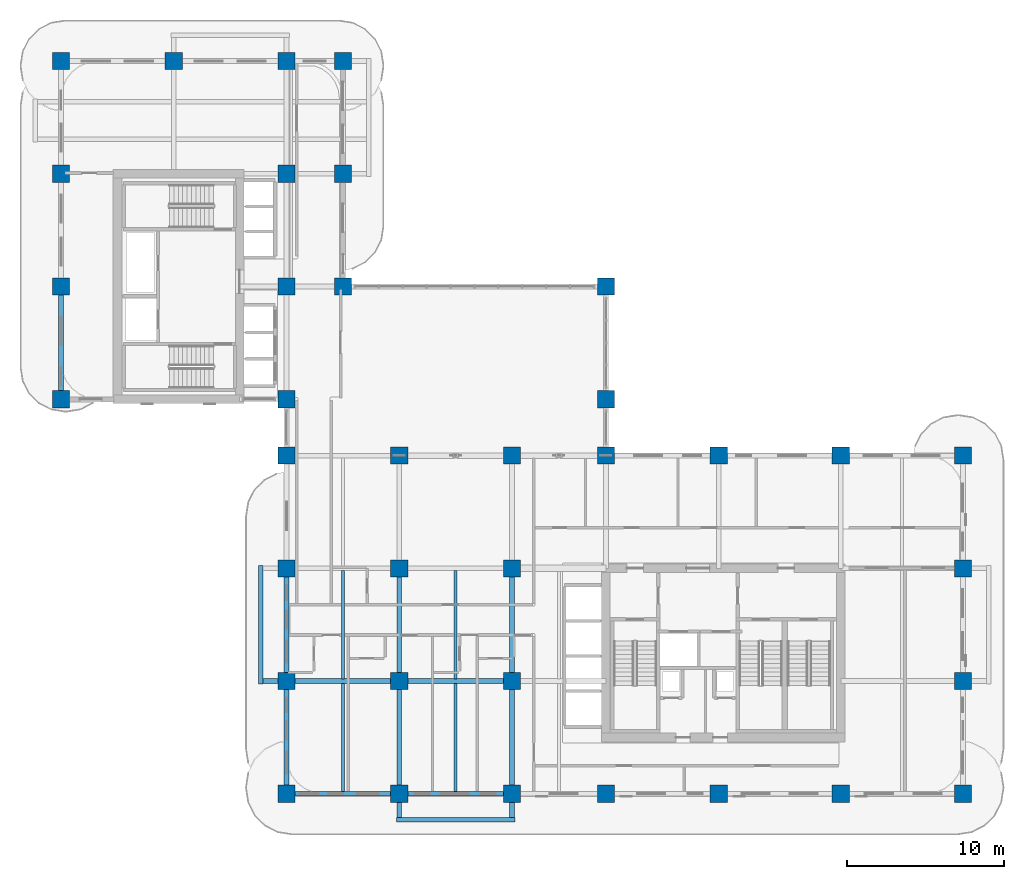
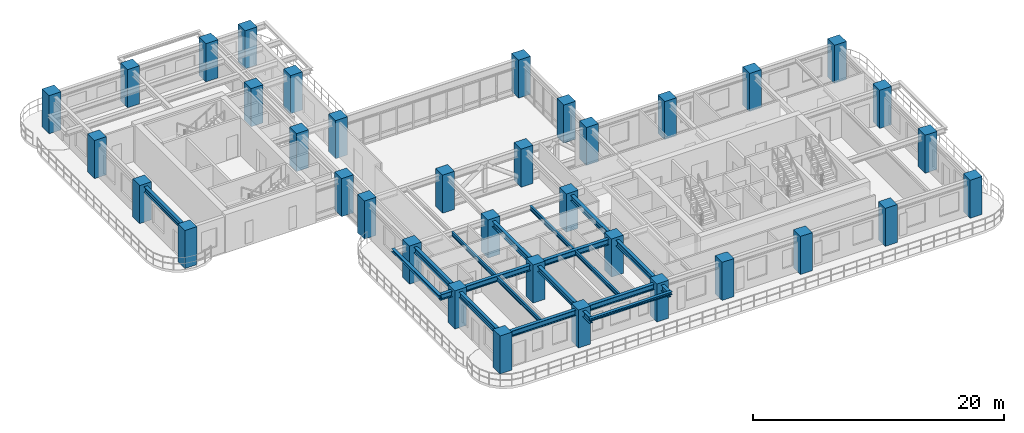
# One storey, part 1 of 21: 36 columns, 17 beams.
"""IFC4 building model written with IfcOpenShell, lengths in metres."""

from ifc_helpers import new_model, si_unit, derived_unit, direction, frame, origin, origin_2d, place, context, subcontext, project, spatial, rectangle, i_section, extrude, source, transform, mapped, material, material_profile, profile_set, type_object, type_shapes, element, save


model = new_model("IFC4")

# Units and contexts
model_context = context("Model", 3, precision=1e-05, world=origin(), true_north=direction((0.0, 1.0)))
body_context = subcontext(model_context, "Body", "Model", "MODEL_VIEW")
ifc_project = project(units=[si_unit("LENGTHUNIT", "METRE"), si_unit("AREAUNIT", "SQUARE_METRE"), si_unit("VOLUMEUNIT", "CUBIC_METRE"), si_unit("PLANEANGLEUNIT", "RADIAN"), si_unit("MASSUNIT", "GRAM", prefix="KILO"), si_unit("THERMODYNAMICTEMPERATUREUNIT", "KELVIN"), si_unit("POWERUNIT", "WATT"), derived_unit("THERMALTRANSMITTANCEUNIT", [(si_unit("POWERUNIT", "WATT"), 1), (si_unit("AREAUNIT", "SQUARE_METRE"), -1), (si_unit("THERMODYNAMICTEMPERATUREUNIT", "KELVIN"), -1)])], contexts=[model_context])

# Site, building, storey
site_placement = place(None, origin())
site = spatial("IfcSite", under=ifc_project, at=site_placement, CompositionType="ELEMENT")
building_placement = place(site_placement, origin())
building = spatial("IfcBuilding", under=site, at=building_placement, Name="Zahravan Archway Hotel and Residences", CompositionType="ELEMENT")
storey_placement = place(building_placement, frame((0.0, 0.0, 69.39990234375)))
storey = spatial("IfcBuildingStorey", under=building, at=storey_placement, Name="L16", CompositionType="ELEMENT", Elevation=69.39990234375)

# Columns
ifc_material_1 = material(Name="Concrete C70/85", Category="concrete")
ifc_material_profile_1 = material_profile(ifc_material_1, rectangle(XDim=1.10009765625, YDim=1.10009765625, at=origin_2d()), Name="RC 1100x1100", Category="concrete")
ifc_profile_set_1 = profile_set([ifc_material_profile_1], Name="Concrete C70/85")
column_type = type_object("IfcColumnType", Name="COL-RC-1100", PredefinedType="COLUMN", material=ifc_profile_set_1)
shared_shape_1 = source(origin(), body_context, "Body", "SweptSolid", [
    extrude(rectangle(XDim=1.10009765625, YDim=1.10009765625, at=origin_2d()), origin(), (0.0, 0.0, 1.0), 3.7001953125),
])
for number, where, z_axis, x_axis, name in (
    (1, (0.0, 25.199951171875, 0.0), (0.0, 0.0, 1.0), (1.0, 0.0, 0.0), "L16 Column 1-E"),
    (2, (0.0, 32.39990234375, 0.0), (0.0, 0.0, 1.0), (1.0, 0.0, 0.0), "L16 Column 1-F"),
    (3, (0.0, 39.60009765625, 0.0), (0.0, 0.0, 1.0), (1.0, 0.0, 0.0), "L16 Column 1-G"),
    (4, (0.0, 46.800048828125, 0.0), (0.0, 0.0, 1.0), (1.0, 0.0, 0.0), "L16 Column 1-H"),
    (5, (7.199951171875, 46.800048828125, 0.0), (0.0, 0.0, 1.0), (1.0, 0.0, 0.0), "L16 Column 2-H"),
    (6, (14.39990234375, 0.0, 0.0), (0.0, 0.0, 1.0), (1.0, 0.0, 0.0), "L16 Column 3-A"),
    (7, (14.39990234375, 7.199951171875, 0.0), (0.0, 0.0, 1.0), (1.0, 0.0, 0.0), "L16 Column 3-B"),
    (8, (14.39990234375, 14.39990234375, 0.0), (0.0, 0.0, 1.0), (1.0, 0.0, 0.0), "L16 Column 3-C"),
    (9, (14.39990234375, 21.60009765625, 0.0), (0.0, 0.0, 1.0), (1.0, 0.0, 0.0), "L16 Column 3-D"),
    (10, (14.39990234375, 25.199951171875, 0.0), (0.0, 0.0, 1.0), (1.0, 0.0, 0.0), "L16 Column 3-E"),
    (11, (14.39990234375, 32.39990234375, 0.0), (0.0, 0.0, 1.0), (1.0, 0.0, 0.0), "L16 Column 3-F"),
    (12, (14.39990234375, 39.60009765625, 0.0), (0.0, 0.0, 1.0), (1.0, 0.0, 0.0), "L16 Column 3-G"),
    (13, (14.39990234375, 46.800048828125, 0.0), (0.0, 0.0, 1.0), (1.0, 0.0, 0.0), "L16 Column 3-H"),
    (14, (21.60009765625, 0.0, 0.0), (0.0, 0.0, 1.0), (1.0, 0.0, 0.0), "L16 Column 4-A"),
    (15, (21.60009765625, 7.199951171875, 0.0), (0.0, 0.0, 1.0), (1.0, 0.0, 0.0), "L16 Column 4-B"),
    (16, (21.60009765625, 14.39990234375, 0.0), (0.0, 0.0, 1.0), (1.0, 0.0, 0.0), "L16 Column 4-C"),
    (17, (21.60009765625, 21.60009765625, 0.0), (0.0, 0.0, 1.0), (1.0, 0.0, 0.0), "L16 Column 4-D"),
    (18, (28.800048828125, 0.0, 0.0), (0.0, 0.0, 1.0), (1.0, 0.0, 0.0), "L16 Column 5-A"),
    (19, (28.800048828125, 7.199951171875, 0.0), (0.0, 0.0, 1.0), (1.0, 0.0, 0.0), "L16 Column 5-B"),
    (20, (28.800048828125, 14.39990234375, 0.0), (0.0, 0.0, 1.0), (1.0, 0.0, 0.0), "L16 Column 5-C"),
    (21, (28.800048828125, 21.60009765625, 0.0), (0.0, 0.0, 1.0), (1.0, 0.0, 0.0), "L16 Column 5-D"),
    (22, (34.800048828125, 0.0, 0.0), (0.0, 0.0, 1.0), (1.0, 0.0, 0.0), "L16 Column 6-A"),
    (23, (34.800048828125, 21.60009765625, 0.0), (0.0, 0.0, 1.0), (1.0, 0.0, 0.0), "L16 Column 6-D"),
    (24, (34.800048828125, 25.199951171875, 0.0), (0.0, 0.0, 1.0), (1.0, 0.0, 0.0), "L16 Column 6-E"),
    (25, (34.800048828125, 32.39990234375, 0.0), (0.0, 0.0, 1.0), (1.0, 0.0, 0.0), "L16 Column 6-F"),
    (26, (42.0, 0.0, 0.0), (0.0, 0.0, 1.0), (1.0, 0.0, 0.0), "L16 Column 7-A"),
    (27, (42.0, 21.60009765625, 0.0), (0.0, 0.0, 1.0), (1.0, 0.0, 0.0), "L16 Column 7-D"),
    (28, (49.800048828125, 0.0, 0.0), (0.0, 0.0, 1.0), (1.0, 0.0, 0.0), "L16 Column 8-A"),
    (29, (49.800048828125, 21.60009765625, 0.0), (0.0, 0.0, 1.0), (1.0, 0.0, 0.0), "L16 Column 8-D"),
    (30, (57.60009765625, 0.0, 0.0), (0.0, 0.0, 1.0), (1.0, 0.0, 0.0), "L16 Column 9-A"),
    (31, (57.60009765625, 7.199951171875, 0.0), (0.0, 0.0, 1.0), (1.0, 0.0, 0.0), "L16 Column 9-B"),
    (32, (57.60009765625, 14.39990234375, 0.0), (0.0, 0.0, 1.0), (1.0, 0.0, 0.0), "L16 Column 9-C"),
    (33, (57.60009765625, 21.60009765625, 0.0), (0.0, 0.0, 1.0), (1.0, 0.0, 0.0), "L16 Column 9-D"),
    (34, (18.0, 32.39990234375, 0.0), (0.0, 0.0, 1.0), (1.0, 0.0, 0.0), "L16 Column 3B-F"),
    (35, (18.0, 39.60009765625, 0.0), (0.0, 0.0, 1.0), (1.0, 0.0, 0.0), "L16 Column 3B-G"),
    (36, (18.0, 46.800048828125, 0.0), (0.0, 0.0, 1.0), (1.0, 0.0, 0.0), "L16 Column 3B-H"),
):
    element("IfcColumn", number, at=place(storey_placement, frame(where, z_axis=z_axis, x_axis=x_axis)), inside=storey, type_object=column_type, Name=name, PredefinedType="COLUMN", context=body_context, shape_type="MappedRepresentation", body=[
        mapped(shared_shape_1, transform((0.0, 0.0, 0.0), scale=1.0)),
    ])

# Beams
ifc_material_2 = material(Name="Structural Steel S355JR", Category="steel")
ifc_material_profile_2 = material_profile(ifc_material_2, i_section(OverallWidth=0.280029296875, OverallDepth=0.280029296875, WebThickness=0.010498046875, FlangeThickness=0.01806640625, FilletRadius=0.02392578125, at=origin_2d()), Name="HEB 280", Category="steel")
ifc_profile_set_2 = profile_set([ifc_material_profile_2], Name="Structural Steel S355JR")
beam_type_1 = type_object("IfcBeamType", Name="BM-SPN-HEB280", PredefinedType="SPANDREL", material=ifc_profile_set_2)
shared_shape_2 = source(origin(), body_context, "Body", "SweptSolid", [
    extrude(i_section(OverallWidth=0.280029296875, OverallDepth=0.280029296875, WebThickness=0.010498046875, FlangeThickness=0.01806640625, FilletRadius=0.02392578125, at=origin_2d()), origin(), (0.0, 0.0, 1.0), 7.56005859375),
])
type_shapes(beam_type_1, [shared_shape_2])
for number, where, z_axis, x_axis, name in (
    (37, (12.75, 7.02001953125, 3.31005859375), (0.0, 1.0, 0.0), (-1.0, 0.0, 0.0), "L17 WA Balcony Edge Spandrel"),
    (38, (21.419921875, -1.64990234375, 3.31005859375), (1.0, 0.0, 0.0), (0.0, 1.0, 0.0), "L17 SA Balcony Edge Spandrel"),
):
    element("IfcBeam", number, at=place(storey_placement, frame(where, z_axis=z_axis, x_axis=x_axis)), inside=storey, type_object=beam_type_1, Name=name, PredefinedType="SPANDREL", context=body_context, shape_type="MappedRepresentation", body=[
        mapped(shared_shape_2, transform((0.0, 0.0, 0.0), scale=1.0)),
    ])
ifc_material_profile_3 = material_profile(ifc_material_2, i_section(OverallWidth=0.300048828125, OverallDepth=0.550048828125, WebThickness=0.014892578125, FlangeThickness=0.029052734375, FilletRadius=0.027099609375, at=origin_2d()), Name="HEB 550", Category="steel")
ifc_profile_set_3 = profile_set([ifc_material_profile_3], Name="Structural Steel S355JR")
beam_type_2 = type_object("IfcBeamType", Name="BM-PRI-HEB550", PredefinedType="BEAM", material=ifc_profile_set_3)
shared_shape_3 = source(origin(), body_context, "Body", "SweptSolid", [
    extrude(i_section(OverallWidth=0.300048828125, OverallDepth=0.550048828125, WebThickness=0.014892578125, FlangeThickness=0.029052734375, FilletRadius=0.027099609375, at=origin_2d()), origin(), (0.0, 0.0, 1.0), 7.2001953125),
])
type_shapes(beam_type_2, [shared_shape_3])
beam_1_placement = place(storey_placement, frame((14.39990234375, 0.0, 3.175048828125), z_axis=(1.0, 0.0, 0.0), x_axis=(0.0, 1.0, 0.0)))
element("IfcBeam", 39, at=beam_1_placement, inside=storey, type_object=beam_type_2, Name="L16 Primary Girder EW-01", PredefinedType="BEAM", context=body_context, shape_type="MappedRepresentation", body=[
    mapped(shared_shape_3, transform((0.0, 0.0, 0.0), scale=1.0)),
])
shared_shape_4 = source(origin(), body_context, "Body", "SweptSolid", [
    extrude(i_section(OverallWidth=0.300048828125, OverallDepth=0.550048828125, WebThickness=0.014892578125, FlangeThickness=0.029052734375, FilletRadius=0.027099609375, at=origin_2d()), origin(), (0.0, 0.0, 1.0), 7.199951171875),
])
for number, where, z_axis, x_axis, name in (
    (40, (21.60009765625, 0.0, 3.175048828125), (1.0, 0.0, 0.0), (0.0, 1.0, 0.0), "L16 Primary Girder EW-02"),
    (41, (21.60009765625, 7.199951171875, 3.175048828125), (1.0, 0.0, 0.0), (0.0, 1.0, 0.0), "L16 Primary Girder EW-08"),
    (42, (0.0, 25.199951171875, 3.175048828125), (0.0, 1.0, 0.0), (-1.0, 0.0, 0.0), "L16 Primary Girder NS-26"),
    (43, (14.39990234375, 0.0, 3.175048828125), (0.0, 1.0, 0.0), (-1.0, 0.0, 0.0), "L16 Primary Girder NS-30"),
    (44, (14.39990234375, 7.199951171875, 3.175048828125), (0.0, 1.0, 0.0), (-1.0, 0.0, 0.0), "L16 Primary Girder NS-31"),
    (45, (21.60009765625, 7.199951171875, 3.175048828125), (0.0, 1.0, 0.0), (-1.0, 0.0, 0.0), "L16 Primary Girder NS-38"),
    (46, (28.800048828125, 7.199951171875, 3.175048828125), (0.0, 1.0, 0.0), (-1.0, 0.0, 0.0), "L16 Primary Girder NS-41"),
):
    element("IfcBeam", number, at=place(storey_placement, frame(where, z_axis=z_axis, x_axis=x_axis)), inside=storey, type_object=beam_type_2, Name=name, PredefinedType="BEAM", context=body_context, shape_type="MappedRepresentation", body=[
        mapped(shared_shape_4, transform((0.0, 0.0, 0.0), scale=1.0)),
    ])
shared_shape_5 = source(origin(), body_context, "Body", "SweptSolid", [
    extrude(i_section(OverallWidth=0.300048828125, OverallDepth=0.550048828125, WebThickness=0.014892578125, FlangeThickness=0.029052734375, FilletRadius=0.027099609375, at=origin_2d()), origin(), (0.0, 0.0, 1.0), 8.85009765625),
])
beam_2_placement = place(storey_placement, frame((12.75, 7.199951171875, 3.175048828125), z_axis=(1.0, 0.0, 0.0), x_axis=(0.0, 1.0, 0.0)))
element("IfcBeam", 47, at=beam_2_placement, inside=storey, type_object=beam_type_2, Name="L16 Primary Girder EW-07", PredefinedType="BEAM", context=body_context, shape_type="MappedRepresentation", body=[
    mapped(shared_shape_5, transform((0.0, 0.0, 0.0), scale=1.0)),
])
shared_shape_6 = source(origin(), body_context, "Body", "SweptSolid", [
    extrude(i_section(OverallWidth=0.300048828125, OverallDepth=0.550048828125, WebThickness=0.014892578125, FlangeThickness=0.029052734375, FilletRadius=0.027099609375, at=origin_2d()), origin(), (0.0, 0.0, 1.0), 8.849853515625),
])
for number, where, z_axis, x_axis, name in (
    (48, (21.60009765625, -1.64990234375, 3.175048828125), (0.0, 1.0, 0.0), (-1.0, 0.0, 0.0), "L16 Primary Girder NS-37"),
    (49, (28.800048828125, -1.64990234375, 3.175048828125), (0.0, 1.0, 0.0), (-1.0, 0.0, 0.0), "L16 Primary Girder NS-40"),
):
    element("IfcBeam", number, at=place(storey_placement, frame(where, z_axis=z_axis, x_axis=x_axis)), inside=storey, type_object=beam_type_2, Name=name, PredefinedType="BEAM", context=body_context, shape_type="MappedRepresentation", body=[
        mapped(shared_shape_6, transform((0.0, 0.0, 0.0), scale=1.0)),
    ])
ifc_material_profile_4 = material_profile(ifc_material_2, i_section(OverallWidth=0.179931640625, OverallDepth=0.39990234375, WebThickness=0.008544921875, FlangeThickness=0.013427734375, FilletRadius=0.02099609375, at=origin_2d()), Name="IPE 400", Category="steel")
ifc_profile_set_4 = profile_set([ifc_material_profile_4], Name="Structural Steel S355JR")
beam_type_3 = type_object("IfcBeamType", Name="BM-JST-IPE400", PredefinedType="JOIST", material=ifc_profile_set_4)
shared_shape_7 = source(origin(), body_context, "Body", "SweptSolid", [
    extrude(i_section(OverallWidth=0.179931640625, OverallDepth=0.39990234375, WebThickness=0.008544921875, FlangeThickness=0.013427734375, FilletRadius=0.02099609375, at=origin_2d()), origin(), (0.0, 0.0, 1.0), 6.904052734375),
])
type_shapes(beam_type_3, [shared_shape_7])
for number, where, z_axis, x_axis, name in (
    (50, (18.0, 0.14794921875, 3.25), (0.0, 1.0, 0.0), (-1.0, 0.0, 0.0), "L16 Composite Floor Joist 01"),
    (51, (25.199951171875, 0.14794921875, 3.25), (0.0, 1.0, 0.0), (-1.0, 0.0, 0.0), "L16 Composite Floor Joist 02"),
    (52, (18.0, 7.347900390625, 3.25), (0.0, 1.0, 0.0), (-1.0, 0.0, 0.0), "L16 Composite Floor Joist 05"),
    (53, (25.199951171875, 7.347900390625, 3.25), (0.0, 1.0, 0.0), (-1.0, 0.0, 0.0), "L16 Composite Floor Joist 06"),
):
    element("IfcBeam", number, at=place(storey_placement, frame(where, z_axis=z_axis, x_axis=x_axis)), inside=storey, type_object=beam_type_3, Name=name, PredefinedType="JOIST", context=body_context, shape_type="MappedRepresentation", body=[
        mapped(shared_shape_7, transform((0.0, 0.0, 0.0), scale=1.0)),
    ])

save(model, "model.ifc")
